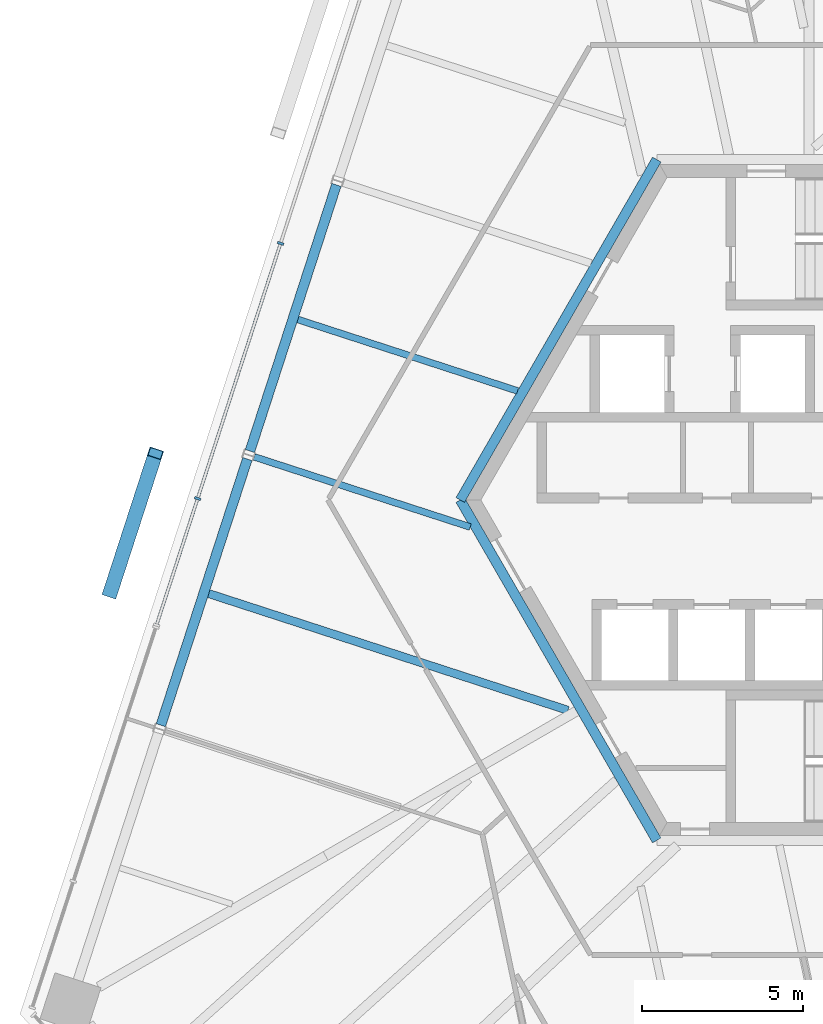
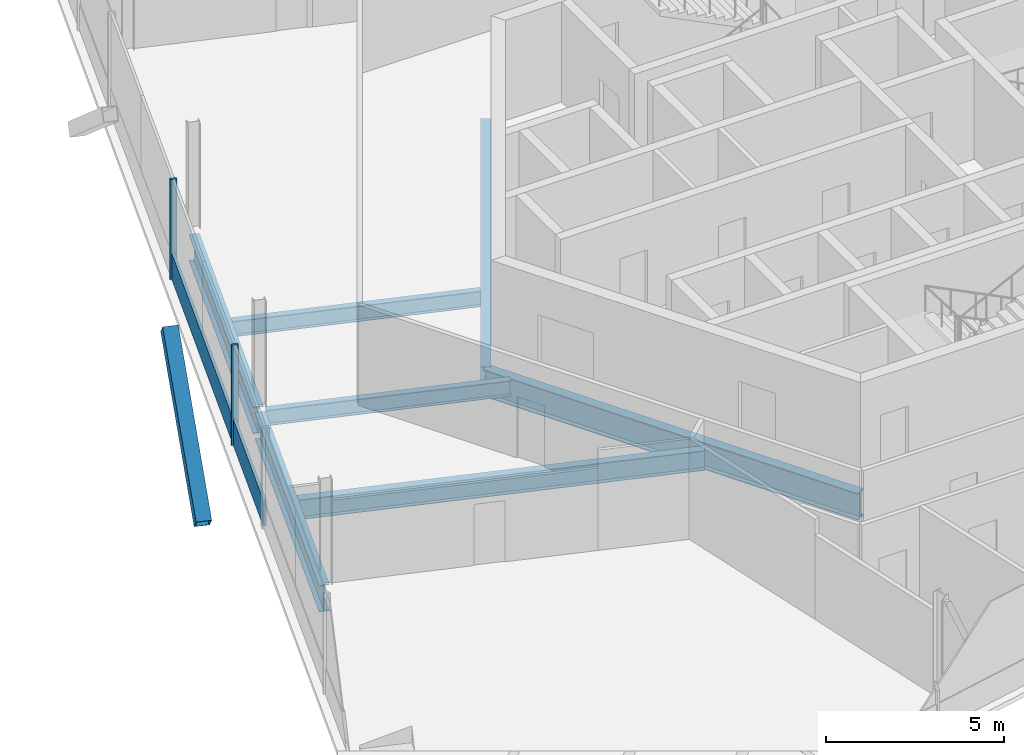
# One storey, part 5 of 15: 7 beams, 5 members, 1 element without a shape of its own.
"""IFC4 building model written with IfcOpenShell, lengths in metres."""

from ifc_helpers import new_model, si_unit, direction, frame, origin, origin_2d, place, context, subcontext, project, spatial, rectangle, hollow_rectangle, i_section, extrude, source, transform, mapped, material, material_profile, profile_set, type_object, element, aggregate, save


model = new_model("IFC4")

# Units and contexts
model_context = context("Model", 3, precision=1e-05, world=origin(), true_north=direction((0.0, 1.0)))
body_context = subcontext(model_context, "Body", "Model", "MODEL_VIEW")
ifc_project = project(units=[si_unit("LENGTHUNIT", "METRE"), si_unit("AREAUNIT", "SQUARE_METRE"), si_unit("VOLUMEUNIT", "CUBIC_METRE"), si_unit("PLANEANGLEUNIT", "RADIAN"), si_unit("MASSUNIT", "GRAM", prefix="KILO")], contexts=[model_context])

# Site, building, storey
site_placement = place(None, origin())
site = spatial("IfcSite", under=ifc_project, at=site_placement, CompositionType="ELEMENT")
building_placement = place(site_placement, origin())
building = spatial("IfcBuilding", under=site, at=building_placement, Name="Triune Harvest Tower", CompositionType="ELEMENT")
storey_placement = place(building_placement, frame((0.0, 0.0, 270.300048828125)))
storey = spatial("IfcBuildingStorey", under=building, at=storey_placement, Name="L71", CompositionType="ELEMENT", Elevation=270.300048828125)

# Beams
ifc_material_1 = material(Name="Steel ASTM A992 Gr 50", Category="steel")
ifc_material_profile_1 = material_profile(ifc_material_1, i_section(OverallWidth=0.3046875, OverallDepth=0.914306640625, WebThickness=0.0166015625, FlangeThickness=0.02587890625, at=origin_2d()), Name="W36x160")
ifc_profile_set_1 = profile_set([ifc_material_profile_1], Name="Steel ASTM A992 Gr 50")
beam_type_1 = type_object("IfcBeamType", Name="CG-1 Core ring girder W36x160", PredefinedType="BEAM", material=ifc_profile_set_1)
shared_shape_1 = source(origin(), body_context, "Body", "SweptSolid", [
    extrude(i_section(OverallWidth=0.3046875, OverallDepth=0.914306640625, WebThickness=0.0166015625, FlangeThickness=0.02587890625, at=origin_2d()), origin(), (0.0, 0.0, 1.0), 12.176025390625),
])
for number, where, z_axis, x_axis, name in (
    (1, (-6.087890625, 10.544677734375, -0.6171875), (-0.5000099932, -0.866019634131, 0.0), (0.866019634131, -0.5000099932, 0.0), "beam/L71/CG3"),
    (2, (-12.176025390625, 0.0, -0.6171875), (0.5000099932, -0.866019634131, 0.0), (0.866019634131, 0.5000099932, 0.0), "beam/L71/CG4"),
):
    element("IfcBeam", number, at=place(storey_placement, frame(where, z_axis=z_axis, x_axis=x_axis)), inside=storey, type_object=beam_type_1, Name=name, PredefinedType="BEAM", context=body_context, shape_type="MappedRepresentation", body=[
        mapped(shared_shape_1, transform((0.0, 0.0, 0.0), scale=1.0)),
    ])
ifc_material_2 = material(Name="Steel ASTM A992 Gr 50", Category="steel")
ifc_material_profile_2 = material_profile(ifc_material_2, i_section(OverallWidth=0.3046875, OverallDepth=0.914306640625, WebThickness=0.0166015625, FlangeThickness=0.02587890625, at=origin_2d()), Name="W36x160")
ifc_profile_set_2 = profile_set([ifc_material_profile_2], Name="Steel ASTM A992 Gr 50")
beam_type_2 = type_object("IfcBeamType", Name="SB-1 Spandrel beam W36x160", PredefinedType="SPANDREL", material=ifc_profile_set_2)
shared_shape_2 = source(origin(), body_context, "Body", "SweptSolid", [
    extrude(i_section(OverallWidth=0.3046875, OverallDepth=0.914306640625, WebThickness=0.0166015625, FlangeThickness=0.02587890625, at=origin_2d()), origin(), (0.0, 0.0, 1.0), 8.67138671875),
])
for number, where, z_axis, x_axis, name in (
    (3, (-16.011474609375, 9.76123046875, -0.6171875), (-0.309030684676, -0.951052067938, 0.0), (0.951052067938, -0.309030684676, 0.0), "beam/L71/SB10"),
    (4, (-18.7705078125, 1.270263671875, -0.6171875), (-0.309022409974, -0.951054756643, 0.0), (0.951054756643, -0.309022409974, 0.0), "beam/L71/SB11"),
):
    element("IfcBeam", number, at=place(storey_placement, frame(where, z_axis=z_axis, x_axis=x_axis)), inside=storey, type_object=beam_type_2, Name=name, PredefinedType="SPANDREL", context=body_context, shape_type="MappedRepresentation", body=[
        mapped(shared_shape_2, transform((0.0, 0.0, 0.0), scale=1.0)),
    ])
ifc_material_3 = material(Name="Steel ASTM A992 Gr 50", Category="steel")
ifc_material_profile_3 = material_profile(ifc_material_3, i_section(OverallWidth=0.253662109375, OverallDepth=0.683349609375, WebThickness=0.012451171875, FlangeThickness=0.01904296875, at=origin_2d()), Name="W27x94")
ifc_profile_set_3 = profile_set([ifc_material_profile_3], Name="Steel ASTM A992 Gr 50")
beam_type_3 = type_object("IfcBeamType", Name="JT-4 Floor joist W27x94", PredefinedType="JOIST", material=ifc_profile_set_3)
shared_shape_3 = source(origin(), body_context, "Body", "SweptSolid", [
    extrude(i_section(OverallWidth=0.253662109375, OverallDepth=0.683349609375, WebThickness=0.012451171875, FlangeThickness=0.01904296875, at=origin_2d()), origin(), (0.0, 0.0, 1.0), 11.70068359375),
])
beam_1_placement = place(storey_placement, frame((-19.96533203125, -2.900390625, -0.501708984375), z_axis=(0.951055533623, -0.309020018713, 0.0), x_axis=(0.309020018713, 0.951055533623, 0.0)))
element("IfcBeam", 5, at=beam_1_placement, inside=storey, type_object=beam_type_3, Name="beam/L71/JT18", PredefinedType="JOIST", context=body_context, shape_type="MappedRepresentation", body=[
    mapped(shared_shape_3, transform((0.0, 0.0, 0.0), scale=1.0)),
])
ifc_material_4 = material(Name="Steel ASTM A992 Gr 50", Category="steel")
ifc_material_profile_4 = material_profile(ifc_material_4, i_section(OverallWidth=0.2099609375, OverallDepth=0.535888671875, WebThickness=0.010986328125, FlangeThickness=0.017333984375, at=origin_2d()), Name="W21x68")
ifc_profile_set_4 = profile_set([ifc_material_profile_4], Name="Steel ASTM A992 Gr 50")
beam_type_4 = type_object("IfcBeamType", Name="JT-2 Floor joist W21x68", PredefinedType="JOIST", material=ifc_profile_set_4)
shared_shape_4 = source(origin(), body_context, "Body", "SweptSolid", [
    extrude(i_section(OverallWidth=0.2099609375, OverallDepth=0.535888671875, WebThickness=0.010986328125, FlangeThickness=0.017333984375, at=origin_2d()), origin(), (0.0, 0.0, 1.0), 7.15576171875),
])
beam_2_placement = place(storey_placement, frame((-17.206298828125, 5.5908203125, -0.427978515625), z_axis=(0.95104785783, -0.30904364112, 0.0), x_axis=(0.30904364112, 0.95104785783, 0.0)))
element("IfcBeam", 6, at=beam_2_placement, inside=storey, type_object=beam_type_4, Name="beam/L71/JT16", PredefinedType="JOIST", context=body_context, shape_type="MappedRepresentation", body=[
    mapped(shared_shape_4, transform((0.0, 0.0, 0.0), scale=1.0)),
])
shared_shape_5 = source(origin(), body_context, "Body", "SweptSolid", [
    extrude(i_section(OverallWidth=0.2099609375, OverallDepth=0.535888671875, WebThickness=0.010986328125, FlangeThickness=0.017333984375, at=origin_2d()), origin(), (0.0, 0.0, 1.0), 7.03515625),
])
beam_3_placement = place(storey_placement, frame((-18.559326171875, 1.336669921875, -0.427978515625), z_axis=(0.951053958357, -0.309024866787, 0.0), x_axis=(0.309024866787, 0.951053958357, 0.0)))
element("IfcBeam", 7, at=beam_3_placement, inside=storey, type_object=beam_type_4, Name="beam/L71/JT17", PredefinedType="JOIST", context=body_context, shape_type="MappedRepresentation", body=[
    mapped(shared_shape_5, transform((0.0, 0.0, 0.0), scale=1.0)),
])

# Member
ifc_material_5 = material(Name="Steel ASTM A572 Gr 50", Category="steel")
ifc_material_profile_5 = material_profile(ifc_material_5, hollow_rectangle(XDim=0.449951171875, YDim=0.449951171875, WallThickness=0.02490234375, at=origin_2d()), Name="Box 450x450x25")
ifc_profile_set_5 = profile_set([ifc_material_profile_5], Name="Steel ASTM A572 Gr 50")
member_type_1 = type_object("IfcMemberType", Name="BR-4 Brace Box 450x450x25", PredefinedType="BRACE", material=ifc_profile_set_5)
shared_shape_6 = source(origin(), body_context, "Body", "SweptSolid", [
    extrude(hollow_rectangle(XDim=0.449951171875, YDim=0.449951171875, WallThickness=0.02490234375, at=origin_2d()), origin(), (0.0, 0.0, 1.0), 5.7890625),
])
member_1_placement = place(storey_placement, frame((-23.017578125, -2.8671875, 0.0), z_axis=(0.242028680068, 0.744810684558, 0.621835317582), x_axis=(-0.951047127071, 0.309045889942, 0.0)))
element("IfcMember", 8, at=member_1_placement, inside=storey, type_object=member_type_1, Name="brace/B7-F3/d2/4", PredefinedType="BRACE", context=body_context, shape_type="MappedRepresentation", body=[
    mapped(shared_shape_6, transform((0.0, 0.0, 0.0), scale=1.0)),
])

# Curtain wall, members
ifc_material_6 = material(Name="Aluminium bronze anodised", Category="aluminium")
curtain_wall_type = type_object("IfcCurtainWallType", Name="CW-7 Tower stick curtain wall with insulated spandrel infill", PredefinedType="NOTDEFINED", material=ifc_material_6)
curtain_wall_placement = place(storey_placement, origin())
curtain_wall = element("IfcCurtainWall", 9, at=curtain_wall_placement, inside=storey, type_object=curtain_wall_type, Name="CW-7 B7-F3 L71 run 1001")
ifc_material_7 = material(Name="Aluminium bronze anodised", Category="aluminium")
ifc_material_profile_6 = material_profile(ifc_material_7, rectangle(XDim=0.199951171875, YDim=0.074951171875, at=origin_2d()), Name="MU-1 mullion 75 x 200")
ifc_profile_set_6 = profile_set([ifc_material_profile_6], Name="Aluminium bronze anodised")
member_type_2 = type_object("IfcMemberType", Name="MU-1 mullion 75 x 200", PredefinedType="MULLION", material=ifc_profile_set_6)
shared_shape_7 = source(origin(), body_context, "Body", "SweptSolid", [
    extrude(rectangle(XDim=0.199951171875, YDim=0.074951171875, at=origin_2d()), origin(), (0.0, 0.0, 1.0), 3.43994140625),
])
member_2_placement = place(storey_placement, frame((-17.74169921875, 7.949462890625, 0.0), z_axis=(0.0, 0.0, 1.0), x_axis=(0.951055533932, -0.309020017761, 0.0)))
member_2 = element("IfcMember", 10, at=member_2_placement, type_object=member_type_2, Name="CW-7 mullion B7-F3 1001.3", PredefinedType="MULLION", context=body_context, shape_type="MappedRepresentation", body=[
    mapped(shared_shape_7, transform((0.0, 0.0, 0.0), scale=1.0)),
])
member_3_placement = place(storey_placement, frame((-20.31005859375, 0.044677734375, 0.0), z_axis=(0.0, 0.0, 1.0), x_axis=(0.951055533932, -0.309020017761, 0.0)))
member_3 = element("IfcMember", 11, at=member_3_placement, type_object=member_type_2, Name="CW-7 mullion B7-F3 1001.5", PredefinedType="MULLION", context=body_context, shape_type="MappedRepresentation", body=[
    mapped(shared_shape_7, transform((0.0, 0.0, 0.0), scale=1.0)),
])
ifc_material_8 = material(Name="Aluminium bronze anodised", Category="aluminium")
ifc_material_profile_7 = material_profile(ifc_material_8, rectangle(XDim=0.090087890625, YDim=0.89990234375, at=origin_2d()), Name="TR-1 transom 90 x 900")
ifc_profile_set_7 = profile_set([ifc_material_profile_7], Name="Aluminium bronze anodised")
member_type_3 = type_object("IfcMemberType", Name="TR-1 transom 90 x 900", PredefinedType="USERDEFINED", material=ifc_profile_set_7)
shared_shape_8 = source(origin(), body_context, "Body", "SweptSolid", [
    extrude(rectangle(XDim=0.090087890625, YDim=0.89990234375, at=origin_2d()), origin(), (0.0, 0.0, 1.0), 4.04345703125),
])
member_4_placement = place(storey_placement, frame((-20.32177734375, 0.009033203125, 0.449951171875), z_axis=(-0.309027363751, -0.951053147018, 0.0), x_axis=(0.951053147018, -0.309027363751, 0.0)))
member_4 = element("IfcMember", 12, at=member_4_placement, type_object=member_type_3, Name="CW-7 transom B7-F3 1001.3", ObjectType="TRANSOM", PredefinedType="USERDEFINED", context=body_context, shape_type="MappedRepresentation", body=[
    mapped(shared_shape_8, transform((0.0, 0.0, 0.0), scale=1.0)),
])
shared_shape_9 = source(origin(), body_context, "Body", "SweptSolid", [
    extrude(rectangle(XDim=0.090087890625, YDim=0.89990234375, at=origin_2d()), origin(), (0.0, 0.0, 1.0), 8.236572265625),
])
member_5_placement = place(storey_placement, frame((-17.75341796875, 7.913818359375, 0.449951171875), z_axis=(-0.309006984033, -0.951059768794, 0.0), x_axis=(0.951059768794, -0.309006984033, 0.0)))
member_5 = element("IfcMember", 13, at=member_5_placement, type_object=member_type_3, Name="CW-7 transom B7-F3 1001.2", ObjectType="TRANSOM", PredefinedType="USERDEFINED", context=body_context, shape_type="MappedRepresentation", body=[
    mapped(shared_shape_9, transform((0.0, 0.0, 0.0), scale=1.0)),
])
aggregate(curtain_wall, [member_2, member_3, member_5, member_4])

save(model, "model.ifc")
